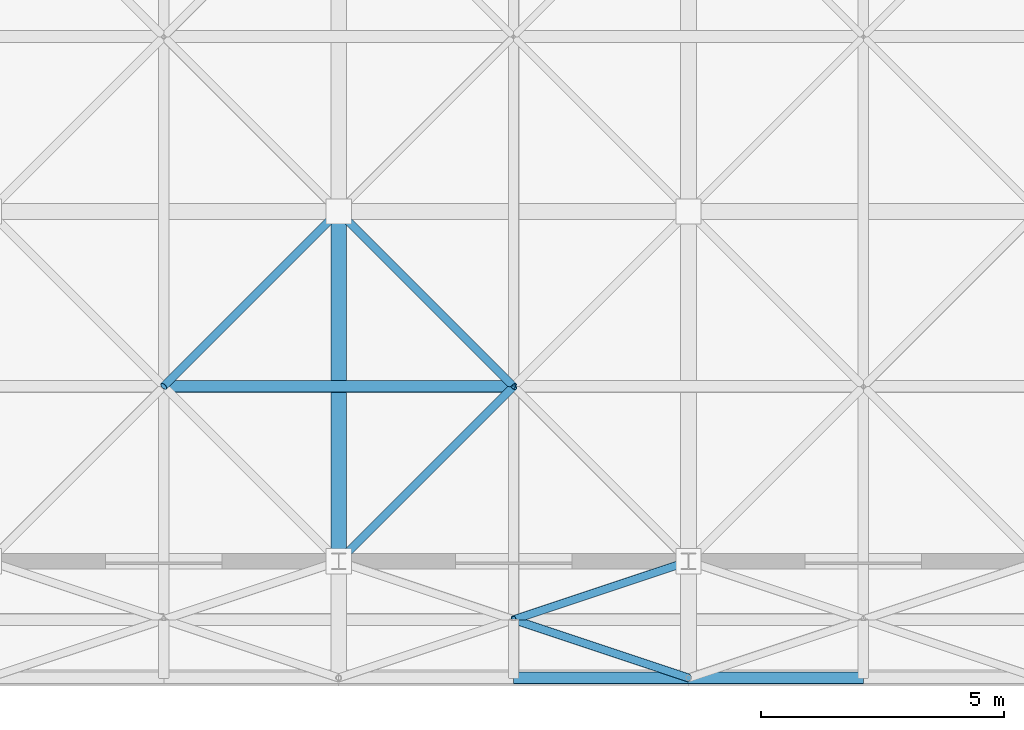
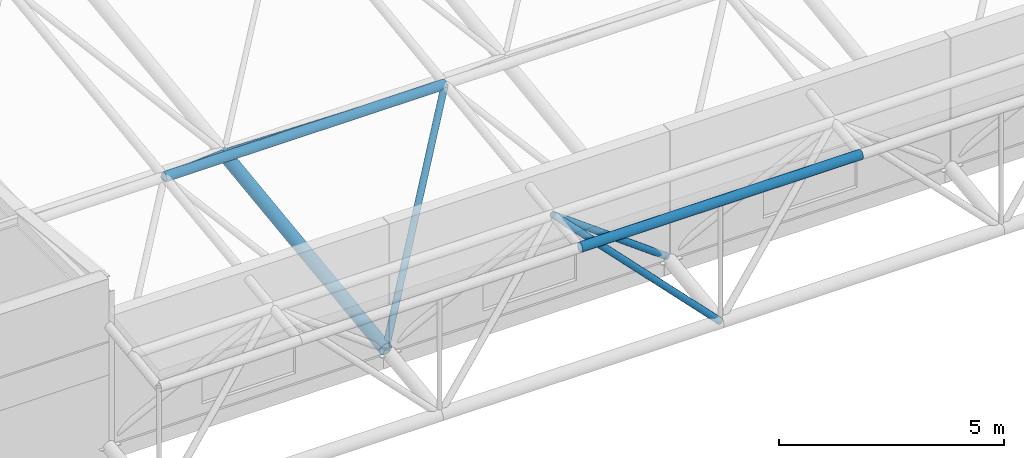
# One storey, part 32 of 103: 8 members.
"""IFC4 building model written with IfcOpenShell, lengths in metres."""

import ifcopenshell
import ifcopenshell.guid

model = None  # the IFC model being written
_history = None  # IfcOwnerHistory: only IFC2X3 demands one
_inside = {}  # id of a spatial element -> (the spatial element, [elements in it])
_under = {}  # id of a project, library or spatial element -> (it, [spatial elements below it])
_declared = {}  # id of a project -> (the project, [libraries it declares])
_typed = {}  # id of a type object -> (the type object, [elements of that type])
_made_of = {}  # id of a material, layer set ... -> (it, [elements and type objects made of it])


def new_model(schema):
    """Start an empty IFC model of exactly this schema.

    Asked for "IFC4X3", IfcOpenShell would pick the latest addendum, in which some entities
    have other attributes; the version numbers below select the first issue.
    IFC2X3 requires an IfcOwnerHistory on every rooted entity: one is made here for all.
    """
    global model, _history
    if schema == "IFC4X3":
        model = ifcopenshell.file(schema_version=(4, 3, 0, 0))
    else:
        model = ifcopenshell.file(schema=schema)
    _inside.clear()
    _under.clear()
    _declared.clear()
    _typed.clear()
    _made_of.clear()
    _history = None
    if model.schema == "IFC2X3":
        org = make("IfcOrganization", Name="unknown")
        user = make(
            "IfcPersonAndOrganization",
            ThePerson=make("IfcPerson", FamilyName="unknown"),
            TheOrganization=org,
        )
        app = make(
            "IfcApplication",
            ApplicationDeveloper=org,
            Version="unknown",
            ApplicationFullName="unknown",
            ApplicationIdentifier="unknown",
        )
        _history = make(
            "IfcOwnerHistory",
            OwningUser=user,
            OwningApplication=app,
            ChangeAction="ADDED",
            CreationDate=0,
        )
    return model


def make(cls, **values):
    """One entity of the class cls with the attributes given. An attribute that is None is left unset."""
    return model.create_entity(
        cls, **{name: value for name, value in values.items() if value is not None}
    )


def rooted(cls, **values):
    """An entity with a GlobalId (a new one), such as an element, a storey or a relation."""
    return make(cls, GlobalId=ifcopenshell.guid.new(), OwnerHistory=_history, **values)


def si_unit(unit_type, name, prefix=None):
    """IfcSIUnit, for example si_unit("LENGTHUNIT", "METRE", prefix="MILLI")."""
    return make("IfcSIUnit", UnitType=unit_type, Prefix=prefix, Name=name)


def assignment(units):
    """IfcUnitAssignment: the units of a project."""
    return None if units is None else make("IfcUnitAssignment", Units=units)


def point(xyz):
    """IfcCartesianPoint."""
    return None if xyz is None else make("IfcCartesianPoint", Coordinates=xyz)


def direction(xyz):
    """IfcDirection."""
    return None if xyz is None else make("IfcDirection", DirectionRatios=xyz)


def frame(location, z_axis=None, x_axis=None):
    """IfcAxis2Placement3D, a coordinate frame: its origin and axes. An axis left out is left unset."""
    return make(
        "IfcAxis2Placement3D",
        Location=point(location),
        Axis=direction(z_axis),
        RefDirection=direction(x_axis),
    )


def frame_2d(location, x_axis=None):
    """IfcAxis2Placement2D, a coordinate frame in the plane: its origin and x axis."""
    return make(
        "IfcAxis2Placement2D", Location=point(location), RefDirection=direction(x_axis)
    )


def origin():
    """The frame at (0, 0, 0) with its axes left unset."""
    return frame((0.0, 0.0, 0.0))


def origin_2d():
    """The frame at (0, 0) in the plane with its x axis left unset."""
    return frame_2d((0.0, 0.0))


def place(relative_to, where):
    """IfcLocalPlacement: puts the frame where relative to a parent placement (None: the world)."""
    return make(
        "IfcLocalPlacement", PlacementRelTo=relative_to, RelativePlacement=where
    )


def context(
    kind, dimensions, precision=None, world=None, true_north=None, identifier=None
):
    """IfcGeometricRepresentationContext, for example the 3D "Model" context."""
    return make(
        "IfcGeometricRepresentationContext",
        ContextIdentifier=identifier,
        ContextType=kind,
        CoordinateSpaceDimension=dimensions,
        Precision=precision,
        WorldCoordinateSystem=world,
        TrueNorth=true_north,
    )


def subcontext(parent, identifier, kind, view, scale=None):
    """IfcGeometricRepresentationSubContext, for example "Body" below "Model"."""
    return make(
        "IfcGeometricRepresentationSubContext",
        ContextIdentifier=identifier,
        ContextType=kind,
        ParentContext=parent,
        TargetScale=scale,
        TargetView=view,
    )


def project(units=None, contexts=None):
    """IfcProject with its units and contexts."""
    return rooted(
        "IfcProject",
        Name="project",
        RepresentationContexts=contexts,
        UnitsInContext=assignment(units),
    )


def spatial(cls, under=None, at=None, **own):
    """A site, building, storey or space (cls), placed at a placement, below another one or the project."""
    s = rooted(cls, ObjectPlacement=at, **own)
    if under is not None:
        _under.setdefault(under.id(), (under, []))[1].append(s)
    return s


def profile(cls, at=None, kind="AREA", **sizes):
    """A parametric profile (cls). Its sizes go by their IFC names, for example OverallWidth=200.0."""
    return make(cls, ProfileType=kind, Position=at, **sizes)


def hollow_circle(**sizes):
    """IfcCircleHollowProfileDef."""
    return profile("IfcCircleHollowProfileDef", **sizes)


def extrude(swept, where, along, depth):
    """IfcExtrudedAreaSolid: the profile swept, set in the frame where, extruded along a direction by depth."""
    return make(
        "IfcExtrudedAreaSolid",
        SweptArea=swept,
        Position=where,
        ExtrudedDirection=direction(along),
        Depth=depth,
    )


def shape(context_of_items, identifier, shape_type, items):
    """IfcShapeRepresentation: the items that make up one representation, for example the "Body"."""
    return make(
        "IfcShapeRepresentation",
        ContextOfItems=context_of_items,
        RepresentationIdentifier=identifier,
        RepresentationType=shape_type,
        Items=items,
    )


def material(Name=None, Category=None):
    """IfcMaterial."""
    return make("IfcMaterial", Name=Name, Category=Category)


def material_profile(
    of_material, cross_section, Name=None, Category=None, Priority=None
):
    """IfcMaterialProfile: a cross section and its material."""
    return make(
        "IfcMaterialProfile",
        Name=Name,
        Material=of_material,
        Profile=cross_section,
        Priority=Priority,
        Category=Category,
    )


def profile_set(profiles, Name=None, composite=None):
    """IfcMaterialProfileSet."""
    return make(
        "IfcMaterialProfileSet",
        Name=Name,
        MaterialProfiles=profiles,
        CompositeProfile=composite,
    )


def made_of(thing, what):
    """Note that an element or type object is made of a material, layer set ...; save() writes the relation."""
    if what is not None:
        _made_of.setdefault(what.id(), (what, []))[1].append(thing)
    return thing


def type_object(cls, material=None, **own):
    """A type object (cls), such as IfcWallType, which elements share."""
    return made_of(rooted(cls, **own), material)


def element(
    cls,
    number,
    at=None,
    inside=None,
    cuts=None,
    type_object=None,
    material=None,
    context=None,
    identifier="Body",
    shape_type=None,
    held_by="IfcProductDefinitionShape",
    body=None,
    shapes=None,
    **own,
):
    """One element of the class cls, such as IfcWall. Its Tag is "e" and its number.

    at: its placement. inside: the storey or other place that contains it. cuts: it is an
    opening in that element (IfcRelVoidsElement). A single representation is given by context,
    identifier, shape_type and body (its items); several are given by shapes. held_by: the class
    of the entity that holds the representations. save() writes the other relations.
    """
    e = rooted(cls, Tag="e%d" % number, ObjectPlacement=at, **own)
    if body is not None:
        shapes = [shape(context, identifier, shape_type, body)]
    if shapes is not None:
        e.Representation = make(held_by, Representations=shapes)
    if inside is not None:
        _inside.setdefault(inside.id(), (inside, []))[1].append(e)
    if cuts is not None:
        rooted(
            "IfcRelVoidsElement", RelatingBuildingElement=cuts, RelatedOpeningElement=e
        )
    if type_object is not None:
        _typed.setdefault(type_object.id(), (type_object, []))[1].append(e)
    return made_of(e, material)


def aggregate(whole, parts):
    """IfcRelAggregates: a whole, such as a stair, and the parts it consists of."""
    return rooted("IfcRelAggregates", RelatingObject=whole, RelatedObjects=parts)


def save(model, path):
    """Write the relations noted so far, then the file.

    IfcRelAggregates (storeys below a building ...), IfcRelContainedInSpatialStructure (elements
    in a storey), IfcRelDefinesByType, IfcRelAssociatesMaterial and IfcRelDeclares: one each for
    every whole, place, type object, material and project.
    """
    for whole, parts in _under.values():
        aggregate(whole, parts)
    for where, things in _inside.values():
        rooted(
            "IfcRelContainedInSpatialStructure",
            RelatedElements=things,
            RelatingStructure=where,
        )
    for kind, things in _typed.values():
        rooted("IfcRelDefinesByType", RelatedObjects=things, RelatingType=kind)
    for what, things in _made_of.values():
        rooted("IfcRelAssociatesMaterial", RelatedObjects=things, RelatingMaterial=what)
    for by, libraries in _declared.values():
        rooted("IfcRelDeclares", RelatingContext=by, RelatedDefinitions=libraries)
    model.write(path)


model = new_model("IFC4")

# Units and contexts
model_context = context("Model", 3, precision=1e-05, world=origin(), true_north=direction((0.0, 1.0)))
body_context = subcontext(model_context, "Body", "Model", "MODEL_VIEW")
ifc_project = project(units=[si_unit("LENGTHUNIT", "METRE"), si_unit("AREAUNIT", "SQUARE_METRE"), si_unit("VOLUMEUNIT", "CUBIC_METRE"), si_unit("PLANEANGLEUNIT", "RADIAN"), si_unit("MASSUNIT", "GRAM", prefix="KILO")], contexts=[model_context])

# Site, building, storey
site_placement = place(None, origin())
site = spatial("IfcSite", under=ifc_project, at=site_placement, CompositionType="ELEMENT")
building_placement = place(site_placement, origin())
building = spatial("IfcBuilding", under=site, at=building_placement, Name="Thalmaran Polytechnic", CompositionType="ELEMENT")
storey_placement = place(building_placement, frame((0.0, 0.0, 14.39990234375)))
storey = spatial("IfcBuildingStorey", under=building, at=storey_placement, Name="L03", CompositionType="ELEMENT", Elevation=14.39990234375)

# Members
ifc_material = material(Name="Steel S355", Category="steel")
ifc_material_profile_1 = material_profile(ifc_material, hollow_circle(Radius=0.122314453125, WallThickness=0.010009765625, at=origin_2d()), Name="CHS 244.5x10.0")
ifc_profile_set_1 = profile_set([ifc_material_profile_1], Name="Steel S355")
member_type_1 = type_object("IfcMemberType", Name="MB-SFC1", PredefinedType="CHORD", material=ifc_profile_set_1)
for number, where, z_axis, x_axis, name in (
    (1, (111.60009765625, 3.60009765625, 4.1240234375), (1.0, 0.0, 0.0), (0.0, 1.0, 0.0), "Space-Frame Top Chord X (1,2)"),
    (2, (118.800048828125, -2.39990234375, 3.334228515625), (1.0, 0.0, 0.0), (0.0, 1.0, 0.0), "Space-Frame Top Chord X (2,0)"),
):
    element("IfcMember", number, at=place(storey_placement, frame(where, z_axis=z_axis, x_axis=x_axis)), inside=storey, type_object=member_type_1, Name=name, PredefinedType="CHORD", context=body_context, shape_type="SweptSolid", body=[
        extrude(hollow_circle(Radius=0.122314453125, WallThickness=0.010009765625, at=origin_2d()), origin(), (0.0, 0.0, 1.0), 7.199951171875),
    ])
ifc_material_profile_2 = material_profile(ifc_material, hollow_circle(Radius=0.161865234375, WallThickness=0.012451171875, at=origin_2d()), Name="CHS 323.9x12.5")
ifc_profile_set_2 = profile_set([ifc_material_profile_2], Name="Steel S355")
member_type_2 = type_object("IfcMemberType", Name="MB-SFC4", PredefinedType="CHORD", material=ifc_profile_set_2)
member_1_placement = place(storey_placement, frame((115.199951171875, 0.0, 0.380126953125), z_axis=(0.0, 0.991447314079, 0.130507560722), x_axis=(-1.0, 0.0, 0.0)))
element("IfcMember", 3, at=member_1_placement, inside=storey, type_object=member_type_2, Name="Space-Frame Bottom Chord Y (1,1)", PredefinedType="CHORD", context=body_context, shape_type="SweptSolid", body=[
    extrude(hollow_circle(Radius=0.161865234375, WallThickness=0.012451171875, at=origin_2d()), origin(), (0.0, 0.0, 1.0), 7.261962890625),
])
ifc_material_profile_3 = material_profile(ifc_material, hollow_circle(Radius=0.084228515625, WallThickness=0.008056640625, at=origin_2d()), Name="CHS 168.3x8.0")
ifc_profile_set_3 = profile_set([ifc_material_profile_3], Name="Steel S355")
member_type_3 = type_object("IfcMemberType", Name="MB-SFD1", PredefinedType="BRACE", material=ifc_profile_set_3)
member_2_placement = place(storey_placement, frame((115.199951171875, 7.199951171875, 1.327880859375), z_axis=(-0.619777888784, -0.619777888784, 0.481404961699), x_axis=(0.707106781187, -0.707106781187, 0.0)))
element("IfcMember", 4, at=member_2_placement, inside=storey, type_object=member_type_3, Name="Space-Frame Web Diagonal (0,1)-4", PredefinedType="BRACE", context=body_context, shape_type="SweptSolid", body=[
    extrude(hollow_circle(Radius=0.084228515625, WallThickness=0.008056640625, at=origin_2d()), origin(), (0.0, 0.0, 1.0), 5.808349609375),
])
member_3_placement = place(storey_placement, frame((122.39990234375, -2.39990234375, 0.064208984375), z_axis=(-0.703963439546, 0.234654479849, 0.670352706319), x_axis=(-0.316227766017, -0.948683298051, 0.0)))
element("IfcMember", 5, at=member_3_placement, inside=storey, type_object=member_type_3, Name="Space-Frame Web Diagonal (1,0)-2", PredefinedType="BRACE", context=body_context, shape_type="SweptSolid", body=[
    extrude(hollow_circle(Radius=0.084228515625, WallThickness=0.008056640625, at=origin_2d()), origin(), (0.0, 0.0, 1.0), 5.11376953125),
])
member_4_placement = place(storey_placement, frame((122.39990234375, 0.0, 0.380126953125), z_axis=(-0.733538280282, -0.244512760094, 0.634141231519), x_axis=(0.316227766017, -0.948683298051, 0.0)))
element("IfcMember", 6, at=member_4_placement, inside=storey, type_object=member_type_3, Name="Space-Frame Web Diagonal (1,0)-4", PredefinedType="BRACE", context=body_context, shape_type="SweptSolid", body=[
    extrude(hollow_circle(Radius=0.084228515625, WallThickness=0.008056640625, at=origin_2d()), origin(), (0.0, 0.0, 1.0), 4.907470703125),
])
member_5_placement = place(storey_placement, frame((115.199951171875, 0.0, 0.380126953125), z_axis=(0.569665890713, 0.569665890713, 0.592420075552), x_axis=(-0.707106781187, 0.707106781187, 0.0)))
element("IfcMember", 7, at=member_5_placement, inside=storey, type_object=member_type_3, Name="Space-Frame Web Diagonal (1,1)-1", PredefinedType="BRACE", context=body_context, shape_type="SweptSolid", body=[
    extrude(hollow_circle(Radius=0.084228515625, WallThickness=0.008056640625, at=origin_2d()), origin(), (0.0, 0.0, 1.0), 6.319580078125),
])
member_6_placement = place(storey_placement, frame((115.199951171875, 7.199951171875, 1.327880859375), z_axis=(0.619803774917, -0.619761742923, 0.481392420597), x_axis=(0.707082803744, 0.707130757816, 0.0)))
element("IfcMember", 8, at=member_6_placement, inside=storey, type_object=member_type_3, Name="Space-Frame Web Diagonal (1,1)-3", PredefinedType="BRACE", context=body_context, shape_type="SweptSolid", body=[
    extrude(hollow_circle(Radius=0.084228515625, WallThickness=0.008056640625, at=origin_2d()), origin(), (0.0, 0.0, 1.0), 5.808349609375),
])

save(model, "model.ifc")
